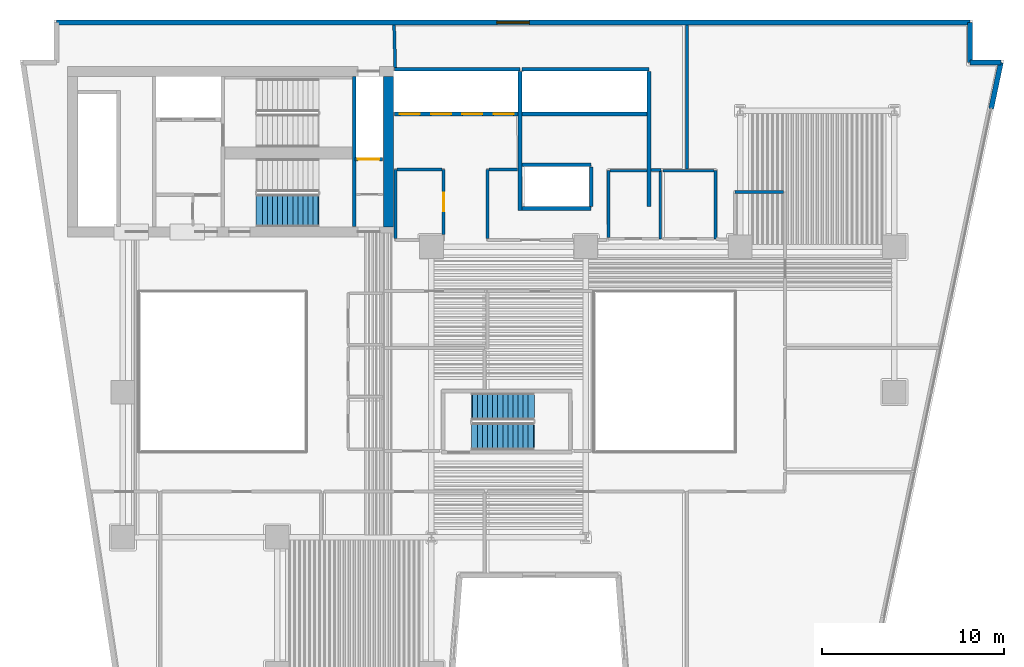
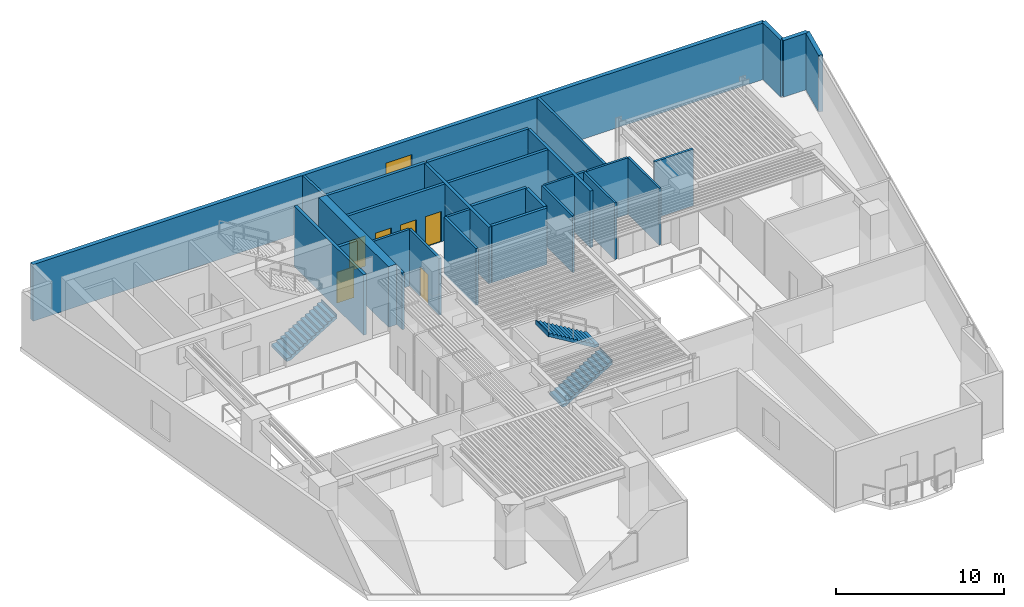
# One storey, part 6 of 12: 30 walls, 6 doors, 3 stair flights, 1 window, 7 openings, 2 elements without a shape of their own.
"""IFC4 building model written with IfcOpenShell, lengths in metres."""

from ifc_helpers import new_model, si_unit, direction, frame, frame_2d, origin, place, context, subcontext, project, spatial, polyline, rectangle, outline, extrude, material, layer, layer_set, type_object, element, fill, aggregate, save


model = new_model("IFC4")

# Units and contexts
model_context = context("Model", 3, precision=1e-05, world=origin(), true_north=direction((0.0, 1.0)))
body_context = subcontext(model_context, "Body", "Model", "MODEL_VIEW")
ifc_project = project(units=[si_unit("LENGTHUNIT", "METRE"), si_unit("AREAUNIT", "SQUARE_METRE"), si_unit("VOLUMEUNIT", "CUBIC_METRE"), si_unit("PLANEANGLEUNIT", "RADIAN"), si_unit("MASSUNIT", "GRAM", prefix="KILO")], contexts=[model_context])

# Site, building, storey
site_placement = place(None, origin())
site = spatial("IfcSite", under=ifc_project, at=site_placement, CompositionType="ELEMENT")
building_placement = place(site_placement, origin())
building = spatial("IfcBuilding", under=site, at=building_placement, Name="Caeloran Harvest Quay", CompositionType="ELEMENT")
storey_placement = place(building_placement, frame((0.0, 0.0, 84.199951171875)))
storey = spatial("IfcBuildingStorey", under=building, at=storey_placement, Name="L19", CompositionType="ELEMENT", Elevation=84.199951171875)

# Wall, opening, window
ifc_material_1 = material(Name="Precast concrete C50/60", Category="concrete")
ifc_layer_1 = layer(ifc_material_1, 0.280029296875, Name="Precast concrete C50/60")
ifc_layer_set_1 = layer_set([ifc_layer_1], Name="Precast concrete C50/60")
wall_type_1 = type_object("IfcWallType", Name="ENV-WALL-EW-280", PredefinedType="STANDARD", material=ifc_layer_set_1)
wall_1_placement = place(storey_placement, frame((4.840087890625, 43.360107421875, 0.0), z_axis=(0.0, 0.0, 1.0), x_axis=(1.0, 0.0, 0.0)))
wall_1 = element("IfcWall", 1, at=wall_1_placement, inside=storey, type_object=wall_type_1, Name="L19 Exterior Precast Concrete Facade Wall 6", PredefinedType="STANDARD", context=body_context, shape_type="SweptSolid", body=[
    extrude(rectangle(XDim=50.31982421875, YDim=0.280029296875, at=frame_2d((25.159912109375, 0.0))), origin(), (0.0, 0.0, 1.0), 4.114990234375),
])
opening_1_placement = place(wall_1_placement, frame((24.260009765625, 0.0, 0.89990234375)))
opening_1 = element("IfcOpeningElement", 2, at=opening_1_placement, cuts=wall_1, Name="Opening W-01", PredefinedType="OPENING", context=body_context, shape_type="SweptSolid", body=[
    extrude(rectangle(XDim=1.800048828125, YDim=2.10009765625, at=frame_2d((0.89990234375, 1.050048828125))), frame((0.0, 0.14990234375, 0.0), z_axis=(0.0, -1.0, 0.0), x_axis=(1.0, 0.0, 0.0)), (0.0, 0.0, 1.0), 0.300048828125),
])
ifc_material_2 = material(Name="Aluminium-Framed Low-E Laminated Glass", Category="aluminium")
window_type = type_object("IfcWindowType", Name="WIN-W-01", PartitioningType="SINGLE_PANEL", PredefinedType="WINDOW", material=ifc_material_2)
window_placement = place(opening_1_placement, origin())
window = element("IfcWindow", 3, at=window_placement, inside=storey, type_object=window_type, Name="L19 Facade Punched Window W-01", OverallHeight=2.10009765625, OverallWidth=1.800048828125, PartitioningType="SINGLE_PANEL", PredefinedType="WINDOW", context=body_context, shape_type="SweptSolid", body=[
    extrude(rectangle(XDim=1.800048828125, YDim=2.10009765625, at=frame_2d((0.89990234375, 1.050048828125))), frame((0.0, 0.030029296875, 0.0), z_axis=(0.0, -1.0, 0.0), x_axis=(1.0, 0.0, 0.0)), (0.0, 0.0, 1.0), 0.06005859375),
])
fill(opening_1, window)

# Walls
wall_2_placement = place(storey_placement, frame((55.159912109375, 43.360107421875, 0.0), z_axis=(0.0, 0.0, 1.0), x_axis=(0.0, -1.0, 0.0)))
element("IfcWall", 4, at=wall_2_placement, inside=storey, type_object=wall_type_1, Name="L19 Exterior Precast Concrete Facade Wall 7", PredefinedType="STANDARD", context=body_context, shape_type="SweptSolid", body=[
    extrude(rectangle(XDim=2.2001953125, YDim=0.280029296875, at=frame_2d((1.10009765625, 0.0))), origin(), (0.0, 0.0, 1.0), 4.114990234375),
])
wall_3_placement = place(storey_placement, frame((55.159912109375, 41.159912109375, 0.0), z_axis=(0.0, 0.0, 1.0), x_axis=(1.0, 0.0, 0.0)))
element("IfcWall", 5, at=wall_3_placement, inside=storey, type_object=wall_type_1, Name="L19 Exterior Precast Concrete Facade Wall 8", PredefinedType="STANDARD", context=body_context, shape_type="SweptSolid", body=[
    extrude(rectangle(XDim=1.705322265625, YDim=0.280029296875, at=frame_2d((0.8525390625, 0.0))), origin(), (0.0, 0.0, 1.0), 4.114990234375),
])
wall_4_placement = place(storey_placement, frame((56.865234375, 41.159912109375, 0.0), z_axis=(0.0, 0.0, 1.0), x_axis=(-0.205551409765, -0.978646319128, 0.0)))
element("IfcWall", 6, at=wall_4_placement, inside=storey, type_object=wall_type_1, Name="L19 Exterior Facade Corner Pier Wall 9A", PredefinedType="STANDARD", context=body_context, shape_type="SweptSolid", body=[
    extrude(rectangle(XDim=2.599853515625, YDim=0.280029296875, at=frame_2d((1.2998046875, 0.0))), origin(), (0.0, 0.0, 1.0), 4.114990234375),
])
ifc_material_3 = material(Name="Autoclaved Aerated Concrete Blockwork and Plasterboard", Category="masonry")
ifc_layer_2 = layer(ifc_material_3, 0.14990234375, Name="Autoclaved Aerated Concrete Blockwork and Plasterboard")
ifc_layer_set_2 = layer_set([ifc_layer_2], Name="Autoclaved Aerated Concrete Blockwork and Plasterboard")
wall_type_2 = type_object("IfcWallType", Name="INT-WALL-PW-150", PredefinedType="PARTITIONING", material=ifc_layer_set_2)
wall_5_placement = place(storey_placement, frame((38.10009765625, 35.199951171875, 0.0), z_axis=(0.0, 0.0, 1.0), x_axis=(0.0, -1.0, 0.0)))
element("IfcWall", 7, at=wall_5_placement, inside=storey, type_object=wall_type_2, Name="L19 Core Telemetry West Room Partition Wall", PredefinedType="PARTITIONING", context=body_context, shape_type="SweptSolid", body=[
    extrude(rectangle(XDim=3.75, YDim=0.14990234375, at=frame_2d((1.875, 0.0))), origin(), (0.0, 0.0, 1.0), 4.114990234375),
])
wall_6_placement = place(storey_placement, frame((35.25, 31.530029296875, 0.0), z_axis=(0.0, 0.0, 1.0), x_axis=(0.0, 1.0, 0.0)))
element("IfcWall", 8, at=wall_6_placement, inside=storey, type_object=wall_type_2, Name="L19 Core Telemetry West Room Partition Wall", PredefinedType="PARTITIONING", context=body_context, shape_type="SweptSolid", body=[
    extrude(rectangle(XDim=3.669921875, YDim=0.14990234375, at=frame_2d((1.8349609375, 0.0))), origin(), (0.0, 0.0, 1.0), 4.114990234375),
])
wall_7_placement = place(storey_placement, frame((35.330078125, 35.199951171875, 0.0), z_axis=(0.0, 0.0, 1.0), x_axis=(1.0, 0.0, 0.0)))
element("IfcWall", 9, at=wall_7_placement, inside=storey, type_object=wall_type_2, Name="L19 Core Telemetry West Room Partition Wall", PredefinedType="PARTITIONING", context=body_context, shape_type="SweptSolid", body=[
    extrude(rectangle(XDim=2.044921875, YDim=0.14990234375, at=frame_2d((1.0224609375, 0.0))), origin(), (0.0, 0.0, 1.0), 4.114990234375),
])
wall_8_placement = place(storey_placement, frame((41.14990234375, 35.199951171875, 0.0), z_axis=(0.0, 0.0, 1.0), x_axis=(0.0, -1.0, 0.0)))
element("IfcWall", 10, at=wall_8_placement, inside=storey, type_object=wall_type_2, Name="L19 Core Metering East Room Partition Wall", PredefinedType="PARTITIONING", context=body_context, shape_type="SweptSolid", body=[
    extrude(rectangle(XDim=3.75, YDim=0.14990234375, at=frame_2d((1.875, 0.0))), origin(), (0.0, 0.0, 1.0), 4.114990234375),
])
wall_9_placement = place(storey_placement, frame((38.25, 35.199951171875, 0.0), z_axis=(0.0, 0.0, 1.0), x_axis=(1.0, 0.0, 0.0)))
element("IfcWall", 11, at=wall_9_placement, inside=storey, type_object=wall_type_2, Name="L19 Core Metering East Room Partition Wall", PredefinedType="PARTITIONING", context=body_context, shape_type="SweptSolid", body=[
    extrude(rectangle(XDim=2.820068359375, YDim=0.14990234375, at=frame_2d((1.41015625, 0.0))), origin(), (0.0, 0.0, 1.0), 4.114990234375),
])

# Wall, opening, door
ifc_material_4 = material(Name="Autoclaved Aerated Concrete Blockwork", Category="masonry")
ifc_layer_3 = layer(ifc_material_4, 0.1650390625, Name="Autoclaved Aerated Concrete Blockwork")
ifc_layer_set_3 = layer_set([ifc_layer_3], Name="Autoclaved Aerated Concrete Blockwork")
wall_type_3 = type_object("IfcWallType", Name="INT-WALL-PW-165", PredefinedType="PARTITIONING", material=ifc_layer_set_3)
wall_10_placement = place(storey_placement, frame((26.169921875, 35.27001953125, 0.0), z_axis=(0.0, 0.0, 1.0), x_axis=(0.0, -1.0, 0.0)))
wall_10 = element("IfcWall", 12, at=wall_10_placement, inside=storey, type_object=wall_type_3, Name="Sensory Fermentation Kitchen 10 Partition Wall", PredefinedType="PARTITIONING", context=body_context, shape_type="SweptSolid", body=[
    extrude(rectangle(XDim=3.594970703125, YDim=0.1650390625, at=frame_2d((1.79736328125, 0.0))), origin(), (0.0, 0.0, 1.0), 4.114990234375),
])
opening_2_placement = place(wall_10_placement, frame((1.297607421875, 0.0, 0.0)))
opening_2 = element("IfcOpeningElement", 13, at=opening_2_placement, cuts=wall_10, Name="Opening ID-01", PredefinedType="OPENING", context=body_context, shape_type="SweptSolid", body=[
    extrude(rectangle(XDim=1.0, YDim=2.14990234375, at=frame_2d((0.5, 1.074951171875))), frame((0.0, 0.092529296875, 0.0), z_axis=(0.0, -1.0, 0.0), x_axis=(1.0, 0.0, 0.0)), (0.0, 0.0, 1.0), 0.18505859375),
])
ifc_material_5 = material(Name="FSC Solid-Core Ash Timber and Acoustic Seal", Category="wood")
door_type_1 = type_object("IfcDoorType", Name="INTDOOR-ID-01", OperationType="NOTDEFINED", PredefinedType="DOOR", material=ifc_material_5)
door_1_placement = place(opening_2_placement, origin())
door_1 = element("IfcDoor", 14, at=door_1_placement, inside=storey, type_object=door_type_1, Name="Sensory Fermentation Kitchen 10 Access Door", OperationType="SINGLE_SWING_LEFT", OverallHeight=2.14990234375, OverallWidth=1.0, PredefinedType="DOOR", context=body_context, shape_type="SweptSolid", body=[
    extrude(rectangle(XDim=1.0, YDim=2.14990234375, at=frame_2d((0.5, 1.074951171875))), frame((0.0, 0.02490234375, 0.0), z_axis=(0.0, -1.0, 0.0), x_axis=(1.0, 0.0, 0.0)), (0.0, 0.0, 1.0), 0.050048828125),
])
fill(opening_2, door_1)

# Walls
wall_11_placement = place(storey_placement, frame((23.510009765625, 31.467529296875, 0.0), z_axis=(0.0, 0.0, 1.0), x_axis=(0.0, 1.0, 0.0)))
element("IfcWall", 15, at=wall_11_placement, inside=storey, type_object=wall_type_3, Name="Sensory Fermentation Kitchen 10 Partition Wall", PredefinedType="PARTITIONING", context=body_context, shape_type="SweptSolid", body=[
    extrude(rectangle(XDim=3.804443359375, YDim=0.1650390625, at=frame_2d((1.90234375, 0.0))), origin(), (0.0, 0.0, 1.0), 4.114990234375),
])
wall_12_placement = place(storey_placement, frame((23.597412109375, 35.27001953125, 0.0), z_axis=(0.0, 0.0, 1.0), x_axis=(1.0, 0.0, 0.0)))
element("IfcWall", 16, at=wall_12_placement, inside=storey, type_object=wall_type_3, Name="Sensory Fermentation Kitchen 10 Partition Wall", PredefinedType="PARTITIONING", context=body_context, shape_type="SweptSolid", body=[
    extrude(rectangle(XDim=2.485107421875, YDim=0.1650390625, at=frame_2d((1.24267578125, 0.0))), origin(), (0.0, 0.0, 1.0), 4.114990234375),
])
wall_13_placement = place(storey_placement, frame((39.580078125, 35.280029296875, 0.0), z_axis=(0.0, 0.0, 1.0), x_axis=(0.0, 1.0, 0.0)))
element("IfcWall", 17, at=wall_13_placement, inside=storey, type_object=wall_type_3, Name="Gastronomy Seminar Room 11 Partition Wall", PredefinedType="PARTITIONING", context=body_context, shape_type="SweptSolid", body=[
    extrude(rectangle(XDim=7.93505859375, YDim=0.1650390625, at=frame_2d((3.967529296875, 0.0))), origin(), (0.0, 0.0, 1.0), 4.114990234375),
])
wall_14_placement = place(storey_placement, frame((44.892578125, 34.030029296875, 0.0), z_axis=(0.0, 0.0, 1.0), x_axis=(-1.0, 0.0, 0.0)))
element("IfcWall", 18, at=wall_14_placement, inside=storey, type_object=wall_type_3, Name="Gastronomy Seminar Room 11 Partition Wall", PredefinedType="PARTITIONING", context=body_context, shape_type="SweptSolid", body=[
    extrude(rectangle(XDim=2.672607421875, YDim=0.1650390625, at=frame_2d((1.33642578125, 0.0))), origin(), (0.0, 0.0, 1.0), 4.114990234375),
])
wall_15_placement = place(storey_placement, frame((38.155517578125, 35.22998046875, 0.0), z_axis=(0.0, 0.0, 1.0), x_axis=(-1.0, 0.0, 0.0)))
element("IfcWall", 19, at=wall_15_placement, inside=storey, type_object=wall_type_3, Name="Seed Library Reading Lounge 12 Partition Wall", PredefinedType="PARTITIONING", context=body_context, shape_type="SweptSolid", body=[
    extrude(rectangle(XDim=0.570556640625, YDim=0.1650390625, at=frame_2d((0.28515625, 0.0))), origin(), (0.0, 0.0, 1.0), 4.114990234375),
])
wall_16_placement = place(storey_placement, frame((28.580078125, 31.467529296875, 0.0), z_axis=(0.0, 0.0, 1.0), x_axis=(0.0, 1.0, 0.0)))
element("IfcWall", 20, at=wall_16_placement, inside=storey, type_object=wall_type_3, Name="Seed Library Reading Lounge 12 Partition Wall", PredefinedType="PARTITIONING", context=body_context, shape_type="SweptSolid", body=[
    extrude(rectangle(XDim=3.802490234375, YDim=0.1650390625, at=frame_2d((1.9013671875, 0.0))), origin(), (0.0, 0.0, 1.0), 4.114990234375),
])
wall_17_placement = place(storey_placement, frame((28.66748046875, 35.27001953125, 0.0), z_axis=(0.0, 0.0, 1.0), x_axis=(1.0, 0.0, 0.0)))
element("IfcWall", 21, at=wall_17_placement, inside=storey, type_object=wall_type_3, Name="Seed Library Reading Lounge 12 Partition Wall", PredefinedType="PARTITIONING", context=body_context, shape_type="SweptSolid", body=[
    extrude(rectangle(XDim=1.58251953125, YDim=0.1650390625, at=frame_2d((0.791259765625, 0.0))), origin(), (0.0, 0.0, 1.0), 4.114990234375),
])
wall_18_placement = place(storey_placement, frame((23.505615234375, 40.885009765625, 0.0), z_axis=(0.0, 0.0, 1.0), x_axis=(-0.027441464163, 0.999623412113, 0.0)))
element("IfcWall", 22, at=wall_18_placement, inside=storey, type_object=wall_type_3, Name="Seed Library Reading Lounge 12 Partition Wall", PredefinedType="PARTITIONING", context=body_context, shape_type="SweptSolid", body=[
    extrude(rectangle(XDim=2.3310546875, YDim=0.1650390625, at=frame_2d((1.16552734375, 0.0))), origin(), (0.0, 0.0, 1.0), 4.114990234375),
])

# Wall, opening, door
ifc_material_6 = material(Name="Concrete C50/60", Category="concrete")
ifc_layer_4 = layer(ifc_material_6, 0.199951171875, Name="Concrete C50/60")
ifc_layer_set_4 = layer_set([ifc_layer_4], Name="Concrete C50/60")
wall_type_4 = type_object("IfcWallType", Name="INT-WALL-SW-200", PredefinedType="PARTITIONING", material=ifc_layer_set_4)
wall_19_placement = place(storey_placement, frame((21.300048828125, 35.820068359375, 0.0), z_axis=(0.0, 0.0, 1.0), x_axis=(1.0, 0.0, 0.0)))
wall_19 = element("IfcWall", 23, at=wall_19_placement, inside=storey, type_object=wall_type_4, Name="L19 Service Lift SV-2 Shaft Wall", PredefinedType="PARTITIONING", context=body_context, shape_type="SweptSolid", body=[
    extrude(rectangle(XDim=1.5, YDim=0.199951171875, at=frame_2d((0.75, 0.0))), origin(), (0.0, 0.0, 1.0), 4.114990234375),
])
opening_3_placement = place(wall_19_placement, frame((0.14501953125, 0.0, 0.0)))
opening_3 = element("IfcOpeningElement", 24, at=opening_3_placement, cuts=wall_19, Name="Opening LD-02", PredefinedType="OPENING", context=body_context, shape_type="SweptSolid", body=[
    extrude(rectangle(XDim=1.179931640625, YDim=2.25, at=frame_2d((0.58984375, 1.125))), frame((0.0, 0.10986328125, 0.0), z_axis=(0.0, -1.0, 0.0), x_axis=(1.0, 0.0, 0.0)), (0.0, 0.0, 1.0), 0.219970703125),
])
ifc_material_7 = material(Name="Stainless Steel Grade 316", Category="steel")
door_type_2 = type_object("IfcDoorType", Name="INTDOOR-LD-02", OperationType="NOTDEFINED", PredefinedType="DOOR", material=ifc_material_7)
door_2_placement = place(opening_3_placement, origin())
door_2 = element("IfcDoor", 25, at=door_2_placement, inside=storey, type_object=door_type_2, Name="Lift SV-2 Sliding Landing Door (L19)", OperationType="DOUBLE_DOOR_SLIDING", OverallHeight=2.25, OverallWidth=1.179931640625, PredefinedType="DOOR", context=body_context, shape_type="SweptSolid", body=[
    extrude(rectangle(XDim=1.179931640625, YDim=2.25, at=frame_2d((0.58984375, 1.125))), frame((0.0, 0.02490234375, 0.0), z_axis=(0.0, -1.0, 0.0), x_axis=(1.0, 0.0, 0.0)), (0.0, 0.0, 1.0), 0.050048828125),
])
fill(opening_3, door_2)

# Walls
wall_20_placement = place(storey_placement, frame((23.469970703125, 40.780029296875, 0.0), z_axis=(0.0, 0.0, 1.0), x_axis=(1.0, 0.0, 0.0)))
element("IfcWall", 26, at=wall_20_placement, inside=storey, type_object=wall_type_4, Name="L19 Bank 1 Lift Shaft North Wall", PredefinedType="PARTITIONING", context=body_context, shape_type="SweptSolid", body=[
    extrude(rectangle(XDim=6.909912109375, YDim=0.199951171875, at=frame_2d((3.455078125, 0.0))), origin(), (0.0, 0.0, 1.0), 4.114990234375),
])
wall_21_placement = place(storey_placement, frame((30.3798828125, 33.02001953125, 0.0), z_axis=(0.0, 0.0, 1.0), x_axis=(0.0, 1.0, 0.0)))
element("IfcWall", 27, at=wall_21_placement, inside=storey, type_object=wall_type_4, Name="L19 Bank 1 Lift Shaft East Wall", PredefinedType="PARTITIONING", context=body_context, shape_type="SweptSolid", body=[
    extrude(rectangle(XDim=7.639892578125, YDim=0.199951171875, at=frame_2d((3.81982421875, 0.0))), origin(), (0.0, 0.0, 1.0), 4.114990234375),
])

# Wall, openings, doors
wall_22_placement = place(storey_placement, frame((23.469970703125, 38.320068359375, 0.0), z_axis=(0.0, 0.0, 1.0), x_axis=(1.0, 0.0, 0.0)))
wall_22 = element("IfcWall", 28, at=wall_22_placement, inside=storey, type_object=wall_type_4, Name="L19 Bank 1 Lift Landing Front Wall", PredefinedType="PARTITIONING", context=body_context, shape_type="SweptSolid", body=[
    extrude(rectangle(XDim=6.7900390625, YDim=0.199951171875, at=frame_2d((3.39501953125, 0.0))), origin(), (0.0, 0.0, 1.0), 4.114990234375),
])
opening_4_placement = place(wall_22_placement, frame((0.2900390625, 0.0, 0.0)))
opening_4 = element("IfcOpeningElement", 29, at=opening_4_placement, cuts=wall_22, Name="Opening LD-01", PredefinedType="OPENING", context=body_context, shape_type="SweptSolid", body=[
    extrude(rectangle(XDim=1.10009765625, YDim=2.199951171875, at=frame_2d((0.550048828125, 1.10009765625))), frame((0.0, 0.10986328125, 0.0), z_axis=(0.0, -1.0, 0.0), x_axis=(1.0, 0.0, 0.0)), (0.0, 0.0, 1.0), 0.219970703125),
])
opening_5_placement = place(wall_22_placement, frame((2.010009765625, 0.0, 0.0)))
opening_5 = element("IfcOpeningElement", 30, at=opening_5_placement, cuts=wall_22, Name="Opening LD-01", PredefinedType="OPENING", context=body_context, shape_type="SweptSolid", body=[
    extrude(rectangle(XDim=1.10009765625, YDim=2.199951171875, at=frame_2d((0.550048828125, 1.10009765625))), frame((0.0, 0.10986328125, 0.0), z_axis=(0.0, -1.0, 0.0), x_axis=(1.0, 0.0, 0.0)), (0.0, 0.0, 1.0), 0.219970703125),
])
opening_6_placement = place(wall_22_placement, frame((3.72998046875, 0.0, 0.0)))
opening_6 = element("IfcOpeningElement", 31, at=opening_6_placement, cuts=wall_22, Name="Opening LD-01", PredefinedType="OPENING", context=body_context, shape_type="SweptSolid", body=[
    extrude(rectangle(XDim=1.10009765625, YDim=2.199951171875, at=frame_2d((0.550048828125, 1.10009765625))), frame((0.0, 0.10986328125, 0.0), z_axis=(0.0, -1.0, 0.0), x_axis=(1.0, 0.0, 0.0)), (0.0, 0.0, 1.0), 0.219970703125),
])
opening_7_placement = place(wall_22_placement, frame((5.449951171875, 0.0, 0.0)))
opening_7 = element("IfcOpeningElement", 32, at=opening_7_placement, cuts=wall_22, Name="Opening LD-01", PredefinedType="OPENING", context=body_context, shape_type="SweptSolid", body=[
    extrude(rectangle(XDim=1.10009765625, YDim=2.199951171875, at=frame_2d((0.550048828125, 1.10009765625))), frame((0.0, 0.10986328125, 0.0), z_axis=(0.0, -1.0, 0.0), x_axis=(1.0, 0.0, 0.0)), (0.0, 0.0, 1.0), 0.219970703125),
])
door_type_3 = type_object("IfcDoorType", Name="INTDOOR-LD-01", OperationType="NOTDEFINED", PredefinedType="DOOR", material=ifc_material_7)
door_3_placement = place(opening_4_placement, origin())
door_3 = element("IfcDoor", 33, at=door_3_placement, inside=storey, type_object=door_type_3, Name="Lift P1-1 Sliding Landing Door (L19)", OperationType="DOUBLE_DOOR_SLIDING", OverallHeight=2.199951171875, OverallWidth=1.10009765625, PredefinedType="DOOR", context=body_context, shape_type="SweptSolid", body=[
    extrude(rectangle(XDim=1.10009765625, YDim=2.199951171875, at=frame_2d((0.550048828125, 1.10009765625))), frame((0.0, 0.02490234375, 0.0), z_axis=(0.0, -1.0, 0.0), x_axis=(1.0, 0.0, 0.0)), (0.0, 0.0, 1.0), 0.050048828125),
])
fill(opening_4, door_3)
door_4_placement = place(opening_5_placement, origin())
door_4 = element("IfcDoor", 34, at=door_4_placement, inside=storey, type_object=door_type_3, Name="Lift P1-2 Sliding Landing Door (L19)", OperationType="DOUBLE_DOOR_SLIDING", OverallHeight=2.199951171875, OverallWidth=1.10009765625, PredefinedType="DOOR", context=body_context, shape_type="SweptSolid", body=[
    extrude(rectangle(XDim=1.10009765625, YDim=2.199951171875, at=frame_2d((0.550048828125, 1.10009765625))), frame((0.0, 0.02490234375, 0.0), z_axis=(0.0, -1.0, 0.0), x_axis=(1.0, 0.0, 0.0)), (0.0, 0.0, 1.0), 0.050048828125),
])
fill(opening_5, door_4)
door_5_placement = place(opening_6_placement, origin())
door_5 = element("IfcDoor", 35, at=door_5_placement, inside=storey, type_object=door_type_3, Name="Lift P1-3 Sliding Landing Door (L19)", OperationType="DOUBLE_DOOR_SLIDING", OverallHeight=2.199951171875, OverallWidth=1.10009765625, PredefinedType="DOOR", context=body_context, shape_type="SweptSolid", body=[
    extrude(rectangle(XDim=1.10009765625, YDim=2.199951171875, at=frame_2d((0.550048828125, 1.10009765625))), frame((0.0, 0.02490234375, 0.0), z_axis=(0.0, -1.0, 0.0), x_axis=(1.0, 0.0, 0.0)), (0.0, 0.0, 1.0), 0.050048828125),
])
fill(opening_6, door_5)
door_6_placement = place(opening_7_placement, origin())
door_6 = element("IfcDoor", 36, at=door_6_placement, inside=storey, type_object=door_type_3, Name="Lift P1-4 Sliding Landing Door (L19)", OperationType="DOUBLE_DOOR_SLIDING", OverallHeight=2.199951171875, OverallWidth=1.10009765625, PredefinedType="DOOR", context=body_context, shape_type="SweptSolid", body=[
    extrude(rectangle(XDim=1.10009765625, YDim=2.199951171875, at=frame_2d((0.550048828125, 1.10009765625))), frame((0.0, 0.02490234375, 0.0), z_axis=(0.0, -1.0, 0.0), x_axis=(1.0, 0.0, 0.0)), (0.0, 0.0, 1.0), 0.050048828125),
])
fill(opening_7, door_6)

# Walls
wall_23_placement = place(storey_placement, frame((30.5, 40.780029296875, 0.0), z_axis=(0.0, 0.0, 1.0), x_axis=(1.0, 0.0, 0.0)))
element("IfcWall", 37, at=wall_23_placement, inside=storey, type_object=wall_type_4, Name="L19 Bank 2 Lift Shaft North Wall", PredefinedType="PARTITIONING", context=body_context, shape_type="SweptSolid", body=[
    extrude(rectangle(XDim=6.97998046875, YDim=0.199951171875, at=frame_2d((3.489990234375, 0.0))), origin(), (0.0, 0.0, 1.0), 4.114990234375),
])
wall_24_placement = place(storey_placement, frame((37.47998046875, 33.239990234375, 0.0), z_axis=(0.0, 0.0, 1.0), x_axis=(0.0, 1.0, 0.0)))
element("IfcWall", 38, at=wall_24_placement, inside=storey, type_object=wall_type_4, Name="L19 Bank 2 Lift Shaft East Wall", PredefinedType="PARTITIONING", context=body_context, shape_type="SweptSolid", body=[
    extrude(rectangle(XDim=7.419921875, YDim=0.199951171875, at=frame_2d((3.7099609375, 0.0))), origin(), (0.0, 0.0, 1.0), 4.114990234375),
])
wall_25_placement = place(storey_placement, frame((30.5, 38.320068359375, 0.0), z_axis=(0.0, 0.0, 1.0), x_axis=(1.0, 0.0, 0.0)))
element("IfcWall", 39, at=wall_25_placement, inside=storey, type_object=wall_type_4, Name="L19 Bank 2 Lift Landing Front Wall", PredefinedType="PARTITIONING", context=body_context, shape_type="SweptSolid", body=[
    extrude(rectangle(XDim=6.860107421875, YDim=0.199951171875, at=frame_2d((3.43017578125, 0.0))), origin(), (0.0, 0.0, 1.0), 4.114990234375),
])
for number, where, z_axis, x_axis, name in (
    (40, (30.5, 35.530029296875, 0.0), (0.0, 0.0, 1.0), (1.0, 0.0, 0.0), "L19 Shuttle Lift Landing Front Wall"),
    (41, (30.5, 33.1201171875, 0.0), (0.0, 0.0, 1.0), (1.0, 0.0, 0.0), "L19 Shuttle Lift Shaft South Wall"),
):
    element("IfcWall", number, at=place(storey_placement, frame(where, z_axis=z_axis, x_axis=x_axis)), inside=storey, type_object=wall_type_4, Name=name, PredefinedType="PARTITIONING", context=body_context, shape_type="SweptSolid", body=[
        extrude(rectangle(XDim=3.800048828125, YDim=0.199951171875, at=frame_2d((1.89990234375, 0.0))), origin(), (0.0, 0.0, 1.0), 4.114990234375),
    ])
wall_26_placement = place(storey_placement, frame((34.300048828125, 33.239990234375, 0.0), z_axis=(0.0, 0.0, 1.0), x_axis=(0.0, 1.0, 0.0)))
element("IfcWall", 42, at=wall_26_placement, inside=storey, type_object=wall_type_4, Name="L19 Shuttle Lift Shaft East Wall", PredefinedType="PARTITIONING", context=body_context, shape_type="SweptSolid", body=[
    extrude(rectangle(XDim=2.169921875, YDim=0.199951171875, at=frame_2d((1.0849609375, 0.0))), origin(), (0.0, 0.0, 1.0), 4.114990234375),
])
ifc_material_8 = material(Name="Concrete C80/95", Category="concrete")
ifc_layer_5 = layer(ifc_material_8, 0.550048828125, Name="Concrete C80/95")
ifc_layer_set_5 = layer_set([ifc_layer_5], Name="Concrete C80/95")
wall_type_5 = type_object("IfcWallType", Name="STR-WALL-CW-550", PredefinedType="SHEAR", material=ifc_layer_set_5)
wall_27_placement = place(storey_placement, frame((23.125, 32.10009765625, 0.0), z_axis=(0.0, 0.0, 1.0), x_axis=(0.0, 1.0, 0.0)))
element("IfcWall", 43, at=wall_27_placement, inside=storey, type_object=wall_type_5, Name="L19 Rear Core Shear Wall E", PredefinedType="SHEAR", context=body_context, shape_type="SweptSolid", body=[
    extrude(rectangle(XDim=8.2998046875, YDim=0.550048828125, at=frame_2d((4.14990234375, 0.0))), origin(), (0.0, 0.0, 1.0), 4.400146484375),
])
ifc_material_9 = material(Name="Concrete C60/75", Category="concrete")
ifc_layer_6 = layer(ifc_material_9, 0.199951171875, Name="Concrete C60/75")
ifc_layer_set_6 = layer_set([ifc_layer_6], Name="Concrete C60/75")
wall_type_6 = type_object("IfcWallType", Name="STR-WALL-SW-200", PredefinedType="SHEAR", material=ifc_layer_set_6)
wall_28_placement = place(storey_placement, frame((21.25, 32.1201171875, 0.0), z_axis=(0.0, 0.0, 1.0), x_axis=(0.0, 1.0, 0.0)))
element("IfcWall", 44, at=wall_28_placement, inside=storey, type_object=wall_type_6, Name="L19 Core Stair Shaft East Shear Wall", PredefinedType="SHEAR", context=body_context, shape_type="SweptSolid", body=[
    extrude(rectangle(XDim=8.259765625, YDim=0.199951171875, at=frame_2d((4.1298828125, 0.0))), origin(), (0.0, 0.0, 1.0), 4.400146484375),
])

# Stair, stair flight
stair_type_1 = type_object("IfcStairType", Name="STAIR-STC-180", PredefinedType="HALF_TURN_STAIR", material=ifc_material_6)
stair_1_placement = place(storey_placement, origin())
stair_1 = element("IfcStair", 45, at=stair_1_placement, inside=storey, type_object=stair_type_1, Name="L19 Core Pressurized Exit Stair ST-C2", PredefinedType="HALF_TURN_STAIR")
stair_flight_type_1 = type_object("IfcStairFlightType", Name="FLIGHT-STC-180", PredefinedType="STRAIGHT", material=ifc_material_6)
stair_flight_1_placement = place(storey_placement, frame((15.89990234375, 33.0, 0.0), z_axis=(0.0, 0.0, 1.0), x_axis=(1.0, 0.0, 0.0)))
stair_flight_1 = element("IfcStairFlight", 46, at=stair_flight_1_placement, type_object=stair_flight_type_1, Name="ST-C2 flight 1", NumberOfRisers=13, NumberOfTreads=12, PredefinedType="STRAIGHT", RiserHeight=0.169230769, TreadLength=0.28, context=body_context, shape_type="SweptSolid", body=[
    extrude(outline(polyline([(-0.054931640625, -0.044921875), (-0.054931640625, -0.031494140625), (-0.054931640625, -0.018310546875), (-0.054931640625, -0.0048828125), (-0.054931640625, 0.008544921875), (-0.054931640625, 0.02197265625), (-0.054931640625, 0.035400390625), (-0.054931640625, 0.048828125), (-0.054931640625, 0.06201171875), (-0.054931640625, 0.075439453125), (-0.054931640625, 0.0888671875), (-0.054931640625, 0.102294921875), (-0.054931640625, 0.11572265625), (-0.054931640625, 0.129150390625), (-0.054931640625, 0.142333984375), (-0.054931640625, 0.15576171875), (-0.054931640625, 0.169189453125), (0.280029296875, 0.169189453125), (0.280029296875, 0.33837890625), (0.56005859375, 0.33837890625), (0.56005859375, 0.5078125), (0.840087890625, 0.5078125), (0.840087890625, 0.677001953125), (1.1201171875, 0.677001953125), (1.1201171875, 0.84619140625), (1.39990234375, 0.84619140625), (1.39990234375, 1.015380859375), (1.679931640625, 1.015380859375), (1.679931640625, 1.1845703125), (1.9599609375, 1.1845703125), (1.9599609375, 1.353759765625), (2.239990234375, 1.353759765625), (2.239990234375, 1.523193359375), (2.52001953125, 1.523193359375), (2.52001953125, 1.6923828125), (2.800048828125, 1.6923828125), (2.800048828125, 1.861572265625), (3.080078125, 1.861572265625), (3.080078125, 2.03076171875), (3.360107421875, 2.03076171875), (3.360107421875, 2.199951171875), (3.4150390625, 2.199951171875), (3.4150390625, 2.178466796875), (3.4150390625, 2.156982421875), (3.4150390625, 2.135498046875), (3.4150390625, 2.114013671875), (3.4150390625, 2.09228515625), (3.4150390625, 2.07080078125), (3.4150390625, 2.04931640625), (3.4150390625, 2.02783203125), (3.4150390625, 2.00634765625), (3.4150390625, 1.98486328125), (3.4150390625, 1.963134765625), (3.4150390625, 1.941650390625), (3.4150390625, 1.920166015625), (3.4150390625, 1.898681640625), (3.4150390625, 1.877197265625), (3.4150390625, 1.855712890625), (3.360107421875, 1.855712890625), (0.21533203125, -0.044921875), (-0.054931640625, -0.044921875)])), frame((0.0, 0.89990234375, 0.0), z_axis=(0.0, -1.0, 0.0), x_axis=(1.0, 0.0, 0.0)), (0.0, 0.0, 1.0), 1.800048828125),
])
aggregate(stair_1, [stair_flight_1])

# Stair, stair flights
stair_type_2 = type_object("IfcStairType", Name="STAIR-STW-150", PredefinedType="HALF_TURN_STAIR", material=ifc_material_6)
stair_2_placement = place(storey_placement, origin())
stair_2 = element("IfcStair", 47, at=stair_2_placement, inside=storey, type_object=stair_type_2, Name="L19 East Wing Protected Exit Stair ST-W1", PredefinedType="HALF_TURN_STAIR")
stair_flight_type_2 = type_object("IfcStairFlightType", Name="FLIGHT-STW-150", PredefinedType="STRAIGHT", material=ifc_material_6)
stair_flight_2_placement = place(storey_placement, frame((27.75, 20.550048828125, 0.0), z_axis=(0.0, 0.0, 1.0), x_axis=(1.0, 0.0, 0.0)))
stair_flight_2 = element("IfcStairFlight", 48, at=stair_flight_2_placement, type_object=stair_flight_type_2, Name="ST-W1 flight 1", NumberOfRisers=13, NumberOfTreads=12, PredefinedType="STRAIGHT", RiserHeight=0.169230769, TreadLength=0.28, context=body_context, shape_type="SweptSolid", body=[
    extrude(outline(polyline([(-0.054931640625, -0.044921875), (-0.054931640625, -0.031494140625), (-0.054931640625, -0.018310546875), (-0.054931640625, -0.0048828125), (-0.054931640625, 0.008544921875), (-0.054931640625, 0.02197265625), (-0.054931640625, 0.035400390625), (-0.054931640625, 0.048828125), (-0.054931640625, 0.06201171875), (-0.054931640625, 0.075439453125), (-0.054931640625, 0.0888671875), (-0.054931640625, 0.102294921875), (-0.054931640625, 0.11572265625), (-0.054931640625, 0.129150390625), (-0.054931640625, 0.142333984375), (-0.054931640625, 0.15576171875), (-0.054931640625, 0.169189453125), (0.280029296875, 0.169189453125), (0.280029296875, 0.33837890625), (0.56005859375, 0.33837890625), (0.56005859375, 0.5078125), (0.840087890625, 0.5078125), (0.840087890625, 0.677001953125), (1.1201171875, 0.677001953125), (1.1201171875, 0.84619140625), (1.39990234375, 0.84619140625), (1.39990234375, 1.015380859375), (1.679931640625, 1.015380859375), (1.679931640625, 1.1845703125), (1.9599609375, 1.1845703125), (1.9599609375, 1.353759765625), (2.239990234375, 1.353759765625), (2.239990234375, 1.523193359375), (2.52001953125, 1.523193359375), (2.52001953125, 1.6923828125), (2.800048828125, 1.6923828125), (2.800048828125, 1.861572265625), (3.080078125, 1.861572265625), (3.080078125, 2.03076171875), (3.360107421875, 2.03076171875), (3.360107421875, 2.199951171875), (3.4150390625, 2.199951171875), (3.4150390625, 2.178466796875), (3.4150390625, 2.156982421875), (3.4150390625, 2.135498046875), (3.4150390625, 2.114013671875), (3.4150390625, 2.09228515625), (3.4150390625, 2.07080078125), (3.4150390625, 2.04931640625), (3.4150390625, 2.02783203125), (3.4150390625, 2.00634765625), (3.4150390625, 1.98486328125), (3.4150390625, 1.963134765625), (3.4150390625, 1.941650390625), (3.4150390625, 1.920166015625), (3.4150390625, 1.898681640625), (3.4150390625, 1.877197265625), (3.4150390625, 1.855712890625), (3.360107421875, 1.855712890625), (0.21533203125, -0.044921875), (-0.054931640625, -0.044921875)])), frame((0.0, 0.75, 0.0), z_axis=(0.0, -1.0, 0.0), x_axis=(1.0, 0.0, 0.0)), (0.0, 0.0, 1.0), 1.5),
])
stair_flight_3_placement = place(storey_placement, frame((31.110107421875, 22.199951171875, 2.199951171875), z_axis=(0.0, 0.0, 1.0), x_axis=(-1.0, 0.0, 0.0)))
stair_flight_3 = element("IfcStairFlight", 49, at=stair_flight_3_placement, type_object=stair_flight_type_2, Name="ST-W1 flight 2", NumberOfRisers=13, NumberOfTreads=12, PredefinedType="STRAIGHT", RiserHeight=0.169230769, TreadLength=0.28, context=body_context, shape_type="SweptSolid", body=[
    extrude(outline(polyline([(-0.054931640625, -0.044921875), (-0.054931640625, -0.031494140625), (-0.054931640625, -0.018310546875), (-0.054931640625, -0.0048828125), (-0.054931640625, 0.008544921875), (-0.054931640625, 0.02197265625), (-0.054931640625, 0.035400390625), (-0.054931640625, 0.048828125), (-0.054931640625, 0.06201171875), (-0.054931640625, 0.075439453125), (-0.054931640625, 0.0888671875), (-0.054931640625, 0.102294921875), (-0.054931640625, 0.11572265625), (-0.054931640625, 0.129150390625), (-0.054931640625, 0.142333984375), (-0.054931640625, 0.15576171875), (-0.054931640625, 0.169189453125), (0.280029296875, 0.169189453125), (0.280029296875, 0.33837890625), (0.56005859375, 0.33837890625), (0.56005859375, 0.5078125), (0.840087890625, 0.5078125), (0.840087890625, 0.677001953125), (1.1201171875, 0.677001953125), (1.1201171875, 0.84619140625), (1.39990234375, 0.84619140625), (1.39990234375, 1.015380859375), (1.679931640625, 1.015380859375), (1.679931640625, 1.1845703125), (1.9599609375, 1.1845703125), (1.9599609375, 1.353759765625), (2.239990234375, 1.353759765625), (2.239990234375, 1.523193359375), (2.52001953125, 1.523193359375), (2.52001953125, 1.6923828125), (2.800048828125, 1.6923828125), (2.800048828125, 1.861572265625), (3.080078125, 1.861572265625), (3.080078125, 2.03076171875), (3.360107421875, 2.03076171875), (3.360107421875, 2.199951171875), (3.4150390625, 2.199951171875), (3.4150390625, 2.178466796875), (3.4150390625, 2.156982421875), (3.4150390625, 2.135498046875), (3.4150390625, 2.114013671875), (3.4150390625, 2.09228515625), (3.4150390625, 2.07080078125), (3.4150390625, 2.04931640625), (3.4150390625, 2.02783203125), (3.4150390625, 2.00634765625), (3.4150390625, 1.98486328125), (3.4150390625, 1.963134765625), (3.4150390625, 1.941650390625), (3.4150390625, 1.920166015625), (3.4150390625, 1.898681640625), (3.4150390625, 1.877197265625), (3.4150390625, 1.855712890625), (3.360107421875, 1.855712890625), (0.21533203125, -0.044921875), (-0.054931640625, -0.044921875)])), frame((0.0, 0.75, 0.0), z_axis=(0.0, -1.0, 0.0), x_axis=(1.0, 0.0, 0.0)), (0.0, 0.0, 1.0), 1.5),
])
aggregate(stair_2, [stair_flight_2, stair_flight_3])

save(model, "model.ifc")
